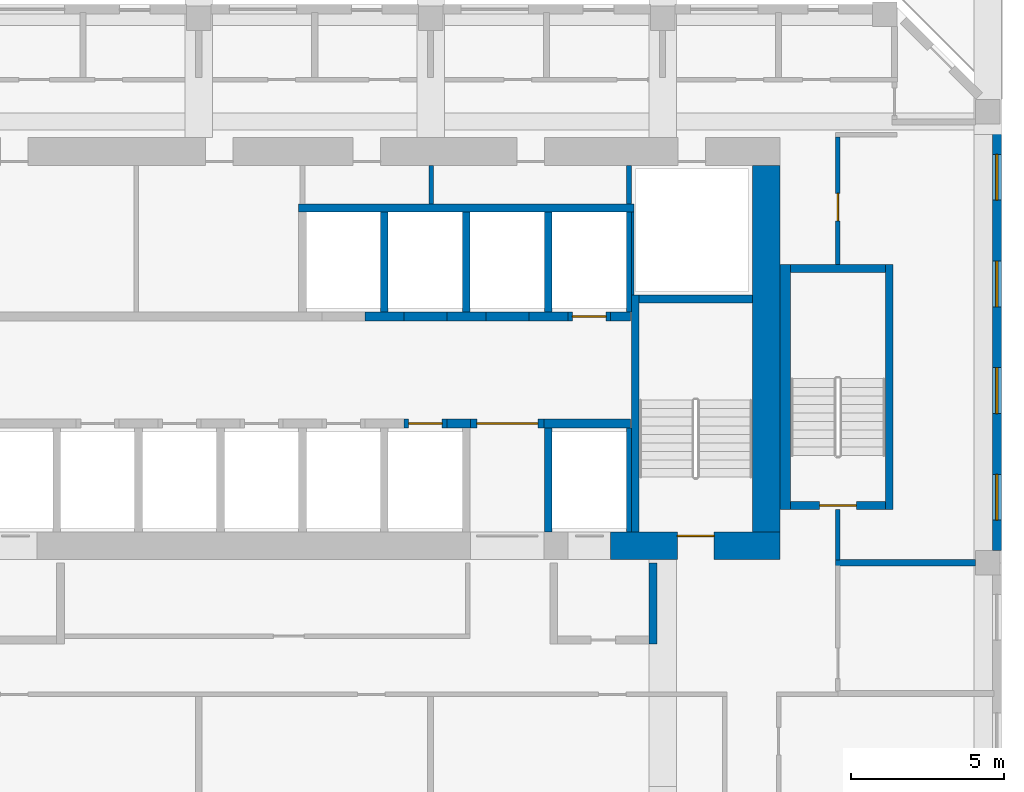
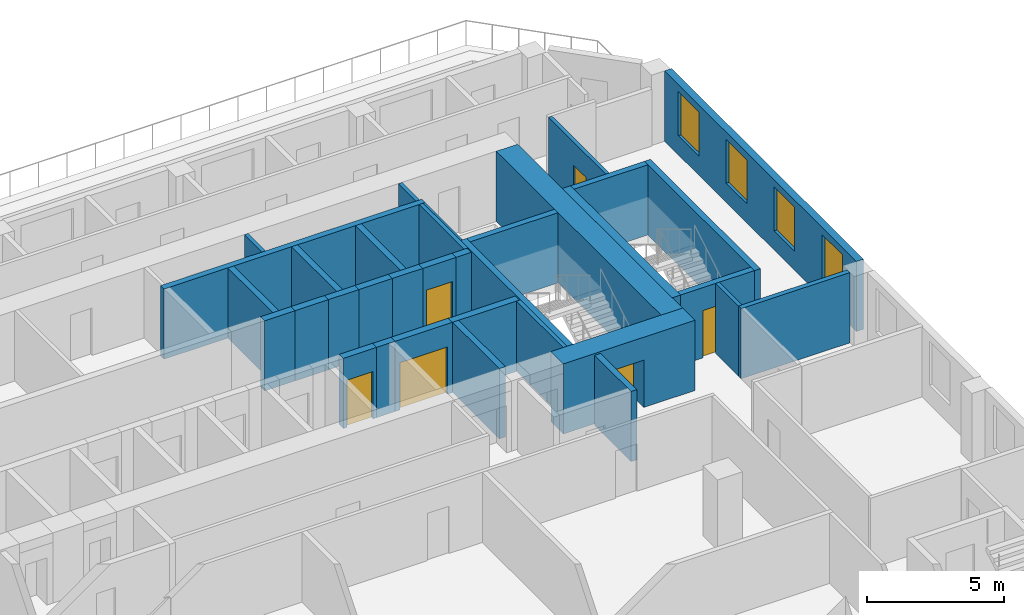
# One storey, part 10 of 16: 34 walls, 6 doors, 4 windows, 10 openings.
"""IFC4 building model written with IfcOpenShell, lengths in metres."""

import ifcopenshell
import ifcopenshell.guid

model = None  # the IFC model being written
_history = None  # IfcOwnerHistory: only IFC2X3 demands one
_inside = {}  # id of a spatial element -> (the spatial element, [elements in it])
_under = {}  # id of a project, library or spatial element -> (it, [spatial elements below it])
_declared = {}  # id of a project -> (the project, [libraries it declares])
_typed = {}  # id of a type object -> (the type object, [elements of that type])
_made_of = {}  # id of a material, layer set ... -> (it, [elements and type objects made of it])


def new_model(schema):
    """Start an empty IFC model of exactly this schema.

    Asked for "IFC4X3", IfcOpenShell would pick the latest addendum, in which some entities
    have other attributes; the version numbers below select the first issue.
    IFC2X3 requires an IfcOwnerHistory on every rooted entity: one is made here for all.
    """
    global model, _history
    if schema == "IFC4X3":
        model = ifcopenshell.file(schema_version=(4, 3, 0, 0))
    else:
        model = ifcopenshell.file(schema=schema)
    _inside.clear()
    _under.clear()
    _declared.clear()
    _typed.clear()
    _made_of.clear()
    _history = None
    if model.schema == "IFC2X3":
        org = make("IfcOrganization", Name="unknown")
        user = make(
            "IfcPersonAndOrganization",
            ThePerson=make("IfcPerson", FamilyName="unknown"),
            TheOrganization=org,
        )
        app = make(
            "IfcApplication",
            ApplicationDeveloper=org,
            Version="unknown",
            ApplicationFullName="unknown",
            ApplicationIdentifier="unknown",
        )
        _history = make(
            "IfcOwnerHistory",
            OwningUser=user,
            OwningApplication=app,
            ChangeAction="ADDED",
            CreationDate=0,
        )
    return model


def make(cls, **values):
    """One entity of the class cls with the attributes given. An attribute that is None is left unset."""
    return model.create_entity(
        cls, **{name: value for name, value in values.items() if value is not None}
    )


def rooted(cls, **values):
    """An entity with a GlobalId (a new one), such as an element, a storey or a relation."""
    return make(cls, GlobalId=ifcopenshell.guid.new(), OwnerHistory=_history, **values)


def si_unit(unit_type, name, prefix=None):
    """IfcSIUnit, for example si_unit("LENGTHUNIT", "METRE", prefix="MILLI")."""
    return make("IfcSIUnit", UnitType=unit_type, Prefix=prefix, Name=name)


def assignment(units):
    """IfcUnitAssignment: the units of a project."""
    return None if units is None else make("IfcUnitAssignment", Units=units)


def point(xyz):
    """IfcCartesianPoint."""
    return None if xyz is None else make("IfcCartesianPoint", Coordinates=xyz)


def direction(xyz):
    """IfcDirection."""
    return None if xyz is None else make("IfcDirection", DirectionRatios=xyz)


def frame(location, z_axis=None, x_axis=None):
    """IfcAxis2Placement3D, a coordinate frame: its origin and axes. An axis left out is left unset."""
    return make(
        "IfcAxis2Placement3D",
        Location=point(location),
        Axis=direction(z_axis),
        RefDirection=direction(x_axis),
    )


def frame_2d(location, x_axis=None):
    """IfcAxis2Placement2D, a coordinate frame in the plane: its origin and x axis."""
    return make(
        "IfcAxis2Placement2D", Location=point(location), RefDirection=direction(x_axis)
    )


def origin():
    """The frame at (0, 0, 0) with its axes left unset."""
    return frame((0.0, 0.0, 0.0))


def place(relative_to, where):
    """IfcLocalPlacement: puts the frame where relative to a parent placement (None: the world)."""
    return make(
        "IfcLocalPlacement", PlacementRelTo=relative_to, RelativePlacement=where
    )


def context(
    kind, dimensions, precision=None, world=None, true_north=None, identifier=None
):
    """IfcGeometricRepresentationContext, for example the 3D "Model" context."""
    return make(
        "IfcGeometricRepresentationContext",
        ContextIdentifier=identifier,
        ContextType=kind,
        CoordinateSpaceDimension=dimensions,
        Precision=precision,
        WorldCoordinateSystem=world,
        TrueNorth=true_north,
    )


def subcontext(parent, identifier, kind, view, scale=None):
    """IfcGeometricRepresentationSubContext, for example "Body" below "Model"."""
    return make(
        "IfcGeometricRepresentationSubContext",
        ContextIdentifier=identifier,
        ContextType=kind,
        ParentContext=parent,
        TargetScale=scale,
        TargetView=view,
    )


def project(units=None, contexts=None):
    """IfcProject with its units and contexts."""
    return rooted(
        "IfcProject",
        Name="project",
        RepresentationContexts=contexts,
        UnitsInContext=assignment(units),
    )


def spatial(cls, under=None, at=None, **own):
    """A site, building, storey or space (cls), placed at a placement, below another one or the project."""
    s = rooted(cls, ObjectPlacement=at, **own)
    if under is not None:
        _under.setdefault(under.id(), (under, []))[1].append(s)
    return s


def profile(cls, at=None, kind="AREA", **sizes):
    """A parametric profile (cls). Its sizes go by their IFC names, for example OverallWidth=200.0."""
    return make(cls, ProfileType=kind, Position=at, **sizes)


def rectangle(**sizes):
    """IfcRectangleProfileDef."""
    return profile("IfcRectangleProfileDef", **sizes)


def extrude(swept, where, along, depth):
    """IfcExtrudedAreaSolid: the profile swept, set in the frame where, extruded along a direction by depth."""
    return make(
        "IfcExtrudedAreaSolid",
        SweptArea=swept,
        Position=where,
        ExtrudedDirection=direction(along),
        Depth=depth,
    )


def shape(context_of_items, identifier, shape_type, items):
    """IfcShapeRepresentation: the items that make up one representation, for example the "Body"."""
    return make(
        "IfcShapeRepresentation",
        ContextOfItems=context_of_items,
        RepresentationIdentifier=identifier,
        RepresentationType=shape_type,
        Items=items,
    )


def source(mapping_origin, context_of_items, identifier, shape_type, items):
    """IfcRepresentationMap: a shape defined once, which mapped items show again and again."""
    return make(
        "IfcRepresentationMap",
        MappingOrigin=mapping_origin,
        MappedRepresentation=shape(context_of_items, identifier, shape_type, items),
    )


def transform(
    local_origin,
    x_axis=None,
    y_axis=None,
    z_axis=None,
    scale=None,
    scale2=None,
    scale3=None,
    uniform=True,
):
    """IfcCartesianTransformationOperator3D, or its non-uniform kind. x_axis, y_axis, z_axis: its Axis1, 2, 3."""
    if uniform:
        return make(
            "IfcCartesianTransformationOperator3D",
            Axis1=direction(x_axis),
            Axis2=direction(y_axis),
            LocalOrigin=point(local_origin),
            Scale=scale,
            Axis3=direction(z_axis),
        )
    return make(
        "IfcCartesianTransformationOperator3DnonUniform",
        Axis1=direction(x_axis),
        Axis2=direction(y_axis),
        LocalOrigin=point(local_origin),
        Scale=scale,
        Axis3=direction(z_axis),
        Scale2=scale2,
        Scale3=scale3,
    )


def mapped(mapping_source, mapping_target):
    """IfcMappedItem: shows the shape of a source again, moved by a transform."""
    return make(
        "IfcMappedItem", MappingSource=mapping_source, MappingTarget=mapping_target
    )


def material(Name=None, Category=None):
    """IfcMaterial."""
    return make("IfcMaterial", Name=Name, Category=Category)


def layer(
    of_material, thickness, ventilated=None, Name=None, Category=None, Priority=None
):
    """IfcMaterialLayer: one layer of a wall or slab, of a material (None: an air gap)."""
    return make(
        "IfcMaterialLayer",
        Material=of_material,
        LayerThickness=thickness,
        IsVentilated=ventilated,
        Name=Name,
        Category=Category,
        Priority=Priority,
    )


def layer_set(layers, Name=None):
    """IfcMaterialLayerSet."""
    return make("IfcMaterialLayerSet", MaterialLayers=layers, LayerSetName=Name)


def made_of(thing, what):
    """Note that an element or type object is made of a material, layer set ...; save() writes the relation."""
    if what is not None:
        _made_of.setdefault(what.id(), (what, []))[1].append(thing)
    return thing


def type_object(cls, material=None, **own):
    """A type object (cls), such as IfcWallType, which elements share."""
    return made_of(rooted(cls, **own), material)


def element(
    cls,
    number,
    at=None,
    inside=None,
    cuts=None,
    type_object=None,
    material=None,
    context=None,
    identifier="Body",
    shape_type=None,
    held_by="IfcProductDefinitionShape",
    body=None,
    shapes=None,
    **own,
):
    """One element of the class cls, such as IfcWall. Its Tag is "e" and its number.

    at: its placement. inside: the storey or other place that contains it. cuts: it is an
    opening in that element (IfcRelVoidsElement). A single representation is given by context,
    identifier, shape_type and body (its items); several are given by shapes. held_by: the class
    of the entity that holds the representations. save() writes the other relations.
    """
    e = rooted(cls, Tag="e%d" % number, ObjectPlacement=at, **own)
    if body is not None:
        shapes = [shape(context, identifier, shape_type, body)]
    if shapes is not None:
        e.Representation = make(held_by, Representations=shapes)
    if inside is not None:
        _inside.setdefault(inside.id(), (inside, []))[1].append(e)
    if cuts is not None:
        rooted(
            "IfcRelVoidsElement", RelatingBuildingElement=cuts, RelatedOpeningElement=e
        )
    if type_object is not None:
        _typed.setdefault(type_object.id(), (type_object, []))[1].append(e)
    return made_of(e, material)


def fill(opening, filler):
    """IfcRelFillsElement: the door or window that sits in an opening."""
    return rooted(
        "IfcRelFillsElement",
        RelatingOpeningElement=opening,
        RelatedBuildingElement=filler,
    )


def aggregate(whole, parts):
    """IfcRelAggregates: a whole, such as a stair, and the parts it consists of."""
    return rooted("IfcRelAggregates", RelatingObject=whole, RelatedObjects=parts)


def save(model, path):
    """Write the relations noted so far, then the file.

    IfcRelAggregates (storeys below a building ...), IfcRelContainedInSpatialStructure (elements
    in a storey), IfcRelDefinesByType, IfcRelAssociatesMaterial and IfcRelDeclares: one each for
    every whole, place, type object, material and project.
    """
    for whole, parts in _under.values():
        aggregate(whole, parts)
    for where, things in _inside.values():
        rooted(
            "IfcRelContainedInSpatialStructure",
            RelatedElements=things,
            RelatingStructure=where,
        )
    for kind, things in _typed.values():
        rooted("IfcRelDefinesByType", RelatedObjects=things, RelatingType=kind)
    for what, things in _made_of.values():
        rooted("IfcRelAssociatesMaterial", RelatedObjects=things, RelatingMaterial=what)
    for by, libraries in _declared.values():
        rooted("IfcRelDeclares", RelatingContext=by, RelatedDefinitions=libraries)
    model.write(path)


model = new_model("IFC4")

# Units and contexts
model_context = context("Model", 3, precision=1e-05, world=origin(), true_north=direction((0.0, 1.0)))
body_context = subcontext(model_context, "Body", "Model", "MODEL_VIEW")
ifc_project = project(units=[si_unit("LENGTHUNIT", "METRE"), si_unit("AREAUNIT", "SQUARE_METRE"), si_unit("VOLUMEUNIT", "CUBIC_METRE"), si_unit("PLANEANGLEUNIT", "RADIAN"), si_unit("MASSUNIT", "GRAM", prefix="KILO")], contexts=[model_context])

# Site, building, storey
site_placement = place(None, origin())
site = spatial("IfcSite", under=ifc_project, at=site_placement, CompositionType="ELEMENT")
building_placement = place(site_placement, origin())
building = spatial("IfcBuilding", under=site, at=building_placement, Name="Kilnfold Tower and Market Hall", CompositionType="ELEMENT")
storey_placement = place(building_placement, frame((0.0, 0.0, 168.5)))
storey = spatial("IfcBuildingStorey", under=building, at=storey_placement, Name="L39", CompositionType="ELEMENT", Elevation=168.5)

# Wall, opening, door
ifc_material_1 = material(Name="Gypsum board on steel studs", Category="steel")
ifc_layer_1 = layer(ifc_material_1, 0.14990234375)
ifc_layer_set_1 = layer_set([ifc_layer_1], Name="Gypsum board on steel studs")
wall_type_1 = type_object("IfcWallType", Name="WALL CORRIDOR 150", PredefinedType="PARTITIONING", material=ifc_layer_set_1)
wall_1_placement = place(storey_placement, frame((19.89990234375, 17.75, 0.0), z_axis=(0.0, 0.0, 1.0), x_axis=(0.0, 1.0, 0.0)))
wall_1 = element("IfcWall", 1, at=wall_1_placement, inside=storey, type_object=wall_type_1, Name="Partition LY26.31", PredefinedType="PARTITIONING", context=body_context, shape_type="SweptSolid", body=[
    extrude(rectangle(XDim=4.175048828125, YDim=0.14990234375, at=frame_2d((2.08740234375, 0.0))), origin(), (0.0, 0.0, 1.0), 3.1201171875),
])
opening_1_placement = place(wall_1_placement, frame((1.431884765625, 0.0, 0.0)))
opening_1 = element("IfcOpeningElement", 2, at=opening_1_placement, cuts=wall_1, Name="Opening D2", PredefinedType="OPENING", context=body_context, shape_type="SweptSolid", body=[
    extrude(rectangle(XDim=0.89990234375, YDim=2.10009765625, at=frame_2d((0.449951171875, 1.050048828125))), frame((0.0, 0.0849609375, 0.0), z_axis=(0.0, -1.0, 0.0), x_axis=(1.0, 0.0, 0.0)), (0.0, 0.0, 1.0), 0.169921875),
])
ifc_material_2 = material(Name="Timber veneer door leaf in steel frame", Category="steel")
door_type_1 = type_object("IfcDoorType", Name="DOOR ROOM 900 X2100", OperationType="NOTDEFINED", PredefinedType="DOOR", material=ifc_material_2)
door_1_placement = place(opening_1_placement, origin())
door_1 = element("IfcDoor", 3, at=door_1_placement, inside=storey, type_object=door_type_1, Name="Door D2", OperationType="SINGLE_SWING_LEFT", OverallHeight=2.10009765625, OverallWidth=0.89990234375, PredefinedType="DOOR", context=body_context, shape_type="SweptSolid", body=[
    extrude(rectangle(XDim=0.89990234375, YDim=2.10009765625, at=frame_2d((0.449951171875, 1.050048828125))), frame((0.0, 0.02490234375, 0.0), z_axis=(0.0, -1.0, 0.0), x_axis=(1.0, 0.0, 0.0)), (0.0, 0.0, 1.0), 0.050048828125),
])
fill(opening_1, door_1)

# Walls
wall_2_placement = place(storey_placement, frame((19.89990234375, 8.090087890625, 0.0), z_axis=(0.0, 0.0, 1.0), x_axis=(0.0, 1.0, 0.0)))
element("IfcWall", 4, at=wall_2_placement, inside=storey, type_object=wall_type_1, Name="Partition LY26.32", PredefinedType="PARTITIONING", context=body_context, shape_type="SweptSolid", body=[
    extrude(rectangle(XDim=1.659912109375, YDim=0.14990234375, at=frame_2d((0.830078125, 0.0))), origin(), (0.0, 0.0, 1.0), 3.1201171875),
])
ifc_material_3 = material(Name="Gypsum board on steel studs", Category="steel")
ifc_layer_2 = layer(ifc_material_3, 0.199951171875)
ifc_layer_set_2 = layer_set([ifc_layer_2], Name="Gypsum board on steel studs")
wall_type_2 = type_object("IfcWallType", Name="WALL PARTY 200", PredefinedType="PARTITIONING", material=ifc_layer_set_2)
wall_3_placement = place(storey_placement, frame((19.826904296875, 8.0, 0.0), z_axis=(0.0, 0.0, 1.0), x_axis=(1.0, 0.0, 0.0)))
element("IfcWall", 5, at=wall_3_placement, inside=storey, type_object=wall_type_2, Name="Partition LY26.118", PredefinedType="PARTITIONING", context=body_context, shape_type="SweptSolid", body=[
    extrude(rectangle(XDim=4.572998046875, YDim=0.199951171875, at=frame_2d((2.28662109375, 0.0))), origin(), (0.0, 0.0, 1.0), 3.1201171875),
])

# Wall, opening, door
ifc_material_4 = material(Name="Concrete C70", Category="concrete")
ifc_layer_3 = layer(ifc_material_4, 0.89990234375)
ifc_layer_set_3 = layer_set([ifc_layer_3], Name="Concrete C70")
wall_type_3 = type_object("IfcWallType", Name="CORE WALL 900 C70", PredefinedType="SHEAR", material=ifc_layer_set_3)
shared_shape_1 = source(origin(), body_context, "Body", "SweptSolid", [
    extrude(rectangle(XDim=5.530029296875, YDim=0.89990234375, at=frame_2d((2.76513671875, 0.0))), origin(), (0.0, 0.0, 1.0), 3.1201171875),
])
wall_4_placement = place(storey_placement, frame((12.469970703125, 8.550048828125, 0.0), z_axis=(0.0, 0.0, 1.0), x_axis=(1.0, 0.0, 0.0)))
wall_4 = element("IfcWall", 6, at=wall_4_placement, inside=storey, type_object=wall_type_3, Name="Core outer wall south", PredefinedType="SHEAR", context=body_context, shape_type="MappedRepresentation", body=[
    mapped(shared_shape_1, transform((0.0, 0.0, 0.0))),
])
opening_2_placement = place(wall_4_placement, frame((2.179931640625, 0.0, 0.0)))
opening_2 = element("IfcOpeningElement", 7, at=opening_2_placement, cuts=wall_4, Name="Opening SD1", PredefinedType="OPENING", context=body_context, shape_type="SweptSolid", body=[
    extrude(rectangle(XDim=1.199951171875, YDim=2.10009765625, at=frame_2d((0.60009765625, 1.050048828125))), frame((0.0, 0.4599609375, 0.0), z_axis=(0.0, -1.0, 0.0), x_axis=(1.0, 0.0, 0.0)), (0.0, 0.0, 1.0), 0.919921875),
])
ifc_material_5 = material(Name="Steel door set with fire-resisting leaf", Category="steel")
door_type_2 = type_object("IfcDoorType", Name="STAIR FLOOR DOOR 1200X2100", OperationType="NOTDEFINED", PredefinedType="DOOR", material=ifc_material_5)
door_2_placement = place(opening_2_placement, origin())
door_2 = element("IfcDoor", 8, at=door_2_placement, inside=storey, type_object=door_type_2, Name="Exit stair ST2 door", OperationType="DOUBLE_DOOR_SINGLE_SWING", OverallHeight=2.10009765625, OverallWidth=1.199951171875, PredefinedType="DOOR", context=body_context, shape_type="SweptSolid", body=[
    extrude(rectangle(XDim=1.199951171875, YDim=2.10009765625, at=frame_2d((0.60009765625, 1.050048828125))), frame((0.0, 0.35498046875, 0.0), z_axis=(0.0, -1.0, 0.0), x_axis=(1.0, 0.0, 0.0)), (0.0, 0.0, 1.0), 0.050048828125),
])
fill(opening_2, door_2)

# Walls
shared_shape_2 = source(origin(), body_context, "Body", "SweptSolid", [
    extrude(rectangle(XDim=12.0, YDim=0.89990234375, at=frame_2d((6.0, 0.0))), origin(), (0.0, 0.0, 1.0), 3.1201171875),
])
wall_5_placement = place(storey_placement, frame((17.550048828125, 9.0, 0.0), z_axis=(0.0, 0.0, 1.0), x_axis=(0.0, 1.0, 0.0)))
element("IfcWall", 9, at=wall_5_placement, inside=storey, type_object=wall_type_3, Name="Core outer wall east", PredefinedType="SHEAR", context=body_context, shape_type="MappedRepresentation", body=[
    mapped(shared_shape_2, transform((0.0, 0.0, 0.0))),
])
ifc_material_6 = material(Name="Concrete C70", Category="concrete")
ifc_layer_4 = layer(ifc_material_6, 0.25)
ifc_layer_set_4 = layer_set([ifc_layer_4], Name="Concrete C70")
wall_type_4 = type_object("IfcWallType", Name="CORE WALL 250 C70", PredefinedType="SHEAR", material=ifc_layer_set_4)
shared_shape_3 = source(origin(), body_context, "Body", "SweptSolid", [
    extrude(rectangle(XDim=7.75, YDim=0.25, at=frame_2d((3.875, 0.0))), origin(), (0.0, 0.0, 1.0), 3.1201171875),
])
wall_6_placement = place(storey_placement, frame((13.27490234375, 9.0, 0.0), z_axis=(0.0, 0.0, 1.0), x_axis=(0.0, 1.0, 0.0)))
element("IfcWall", 10, at=wall_6_placement, inside=storey, type_object=wall_type_4, Name="Stair enclosure ST2", PredefinedType="SHEAR", context=body_context, shape_type="MappedRepresentation", body=[
    mapped(shared_shape_3, transform((0.0, 0.0, 0.0))),
])
shared_shape_4 = source(origin(), body_context, "Body", "SweptSolid", [
    extrude(rectangle(XDim=3.7001953125, YDim=0.25, at=frame_2d((1.85009765625, 0.0))), origin(), (0.0, 0.0, 1.0), 3.1201171875),
])
wall_7_placement = place(storey_placement, frame((13.39990234375, 16.625, 0.0), z_axis=(0.0, 0.0, 1.0), x_axis=(1.0, 0.0, 0.0)))
element("IfcWall", 11, at=wall_7_placement, inside=storey, type_object=wall_type_4, Name="Stair enclosure ST2", PredefinedType="SHEAR", context=body_context, shape_type="MappedRepresentation", body=[
    mapped(shared_shape_4, transform((0.0, 0.0, 0.0))),
])
shared_shape_5 = source(origin(), body_context, "Body", "SweptSolid", [
    extrude(rectangle(XDim=8.0, YDim=0.25, at=frame_2d((4.0, 0.0))), origin(), (0.0, 0.0, 1.0), 3.1201171875),
])
wall_8_placement = place(storey_placement, frame((21.574951171875, 9.75, 0.0), z_axis=(0.0, 0.0, 1.0), x_axis=(0.0, 1.0, 0.0)))
element("IfcWall", 12, at=wall_8_placement, inside=storey, type_object=wall_type_4, Name="Stair enclosure ST5", PredefinedType="SHEAR", context=body_context, shape_type="MappedRepresentation", body=[
    mapped(shared_shape_5, transform((0.0, 0.0, 0.0))),
])
ifc_material_7 = material(Name="Concrete C70", Category="concrete")
ifc_layer_5 = layer(ifc_material_7, 0.35009765625)
ifc_layer_set_5 = layer_set([ifc_layer_5], Name="Concrete C70")
wall_type_5 = type_object("IfcWallType", Name="CORE WALL 350 C70", PredefinedType="SHEAR", material=ifc_layer_set_5)
shared_shape_6 = source(origin(), body_context, "Body", "SweptSolid", [
    extrude(rectangle(XDim=8.0, YDim=0.35009765625, at=frame_2d((4.0, 0.0))), origin(), (0.0, 0.0, 1.0), 3.1201171875),
])
wall_9_placement = place(storey_placement, frame((18.175048828125, 9.75, 0.0), z_axis=(0.0, 0.0, 1.0), x_axis=(0.0, 1.0, 0.0)))
element("IfcWall", 13, at=wall_9_placement, inside=storey, type_object=wall_type_5, Name="Stair enclosure ST5", PredefinedType="SHEAR", context=body_context, shape_type="MappedRepresentation", body=[
    mapped(shared_shape_6, transform((0.0, 0.0, 0.0))),
])

# Wall, opening, door
shared_shape_7 = source(origin(), body_context, "Body", "SweptSolid", [
    extrude(rectangle(XDim=3.099853515625, YDim=0.25, at=frame_2d((1.5498046875, 0.0))), origin(), (0.0, 0.0, 1.0), 3.1201171875),
])
wall_10_placement = place(storey_placement, frame((18.35009765625, 9.875, 0.0), z_axis=(0.0, 0.0, 1.0), x_axis=(1.0, 0.0, 0.0)))
wall_10 = element("IfcWall", 14, at=wall_10_placement, inside=storey, type_object=wall_type_4, Name="Stair enclosure ST5", PredefinedType="SHEAR", context=body_context, shape_type="MappedRepresentation", body=[
    mapped(shared_shape_7, transform((0.0, 0.0, 0.0))),
])
opening_3_placement = place(wall_10_placement, frame((0.949951171875, 0.0, 0.0)))
opening_3 = element("IfcOpeningElement", 15, at=opening_3_placement, cuts=wall_10, Name="Opening SD1", PredefinedType="OPENING", context=body_context, shape_type="SweptSolid", body=[
    extrude(rectangle(XDim=1.199951171875, YDim=2.10009765625, at=frame_2d((0.60009765625, 1.050048828125))), frame((0.0, 0.135009765625, 0.0), z_axis=(0.0, -1.0, 0.0), x_axis=(1.0, 0.0, 0.0)), (0.0, 0.0, 1.0), 0.27001953125),
])
door_3_placement = place(opening_3_placement, origin())
door_3 = element("IfcDoor", 16, at=door_3_placement, inside=storey, type_object=door_type_2, Name="Exit stair ST5 door", OperationType="DOUBLE_DOOR_SINGLE_SWING", OverallHeight=2.10009765625, OverallWidth=1.199951171875, PredefinedType="DOOR", context=body_context, shape_type="SweptSolid", body=[
    extrude(rectangle(XDim=1.199951171875, YDim=2.10009765625, at=frame_2d((0.60009765625, 1.050048828125))), frame((0.0, 0.02490234375, 0.0), z_axis=(0.0, -1.0, 0.0), x_axis=(1.0, 0.0, 0.0)), (0.0, 0.0, 1.0), 0.050048828125),
])
fill(opening_3, door_3)

# Walls
wall_11_placement = place(storey_placement, frame((18.35009765625, 17.625, 0.0), z_axis=(0.0, 0.0, 1.0), x_axis=(1.0, 0.0, 0.0)))
element("IfcWall", 17, at=wall_11_placement, inside=storey, type_object=wall_type_4, Name="Stair enclosure ST5", PredefinedType="SHEAR", context=body_context, shape_type="MappedRepresentation", body=[
    mapped(shared_shape_7, transform((0.0, 0.0, 0.0))),
])
ifc_material_8 = material(Name="Concrete C70", Category="concrete")
ifc_layer_6 = layer(ifc_material_8, 0.300048828125)
ifc_layer_set_6 = layer_set([ifc_layer_6], Name="Concrete C70")
wall_type_6 = type_object("IfcWallType", Name="CORE WALL 300 C70", PredefinedType="SHEAR", material=ifc_layer_set_6)
shared_shape_8 = source(origin(), body_context, "Body", "SweptSolid", [
    extrude(rectangle(XDim=1.280029296875, YDim=0.300048828125, at=frame_2d((0.64013671875, 0.0))), origin(), (0.0, 0.0, 1.0), 3.1201171875),
])
for number, where, z_axis, x_axis, name in (
    (18, (4.429931640625, 16.050048828125, 0.0), (0.0, 0.0, 1.0), (1.0, 0.0, 0.0), "Core spine wall"),
    (19, (9.7900390625, 16.050048828125, 0.0), (0.0, 0.0, 1.0), (1.0, 0.0, 0.0), "Core spine wall"),
):
    element("IfcWall", number, at=place(storey_placement, frame(where, z_axis=z_axis, x_axis=x_axis)), inside=storey, type_object=wall_type_6, Name=name, PredefinedType="SHEAR", context=body_context, shape_type="MappedRepresentation", body=[
        mapped(shared_shape_8, transform((0.0, 0.0, 0.0))),
    ])
shared_shape_9 = source(origin(), body_context, "Body", "SweptSolid", [
    extrude(rectangle(XDim=0.77978515625, YDim=0.300048828125, at=frame_2d((0.389892578125, 0.0))), origin(), (0.0, 0.0, 1.0), 3.1201171875),
])
wall_12_placement = place(storey_placement, frame((7.110107421875, 12.550048828125, 0.0), z_axis=(0.0, 0.0, 1.0), x_axis=(1.0, 0.0, 0.0)))
element("IfcWall", 20, at=wall_12_placement, inside=storey, type_object=wall_type_6, Name="Core spine wall", PredefinedType="SHEAR", context=body_context, shape_type="MappedRepresentation", body=[
    mapped(shared_shape_9, transform((0.0, 0.0, 0.0))),
])
shared_shape_10 = source(origin(), body_context, "Body", "SweptSolid", [
    extrude(rectangle(XDim=2.820068359375, YDim=0.300048828125, at=frame_2d((1.41015625, 0.0))), origin(), (0.0, 0.0, 1.0), 3.1201171875),
])
wall_13_placement = place(storey_placement, frame((10.2900390625, 12.550048828125, 0.0), z_axis=(0.0, 0.0, 1.0), x_axis=(1.0, 0.0, 0.0)))
element("IfcWall", 21, at=wall_13_placement, inside=storey, type_object=wall_type_6, Name="Core spine wall", PredefinedType="SHEAR", context=body_context, shape_type="MappedRepresentation", body=[
    mapped(shared_shape_10, transform((0.0, 0.0, 0.0))),
])
shared_shape_11 = source(origin(), body_context, "Body", "SweptSolid", [
    extrude(rectangle(XDim=1.27978515625, YDim=0.300048828125, at=frame_2d((0.639892578125, 0.0))), origin(), (0.0, 0.0, 1.0), 3.1201171875),
])
wall_14_placement = place(storey_placement, frame((7.110107421875, 16.050048828125, 0.0), z_axis=(0.0, 0.0, 1.0), x_axis=(1.0, 0.0, 0.0)))
element("IfcWall", 22, at=wall_14_placement, inside=storey, type_object=wall_type_6, Name="Core spine wall", PredefinedType="SHEAR", context=body_context, shape_type="MappedRepresentation", body=[
    mapped(shared_shape_11, transform((0.0, 0.0, 0.0))),
])
shared_shape_12 = source(origin(), body_context, "Body", "SweptSolid", [
    extrude(rectangle(XDim=0.64013671875, YDim=0.300048828125, at=frame_2d((0.320068359375, 0.0))), origin(), (0.0, 0.0, 1.0), 3.1201171875),
])
wall_15_placement = place(storey_placement, frame((12.469970703125, 16.050048828125, 0.0), z_axis=(0.0, 0.0, 1.0), x_axis=(1.0, 0.0, 0.0)))
element("IfcWall", 23, at=wall_15_placement, inside=storey, type_object=wall_type_6, Name="Core spine wall", PredefinedType="SHEAR", context=body_context, shape_type="MappedRepresentation", body=[
    mapped(shared_shape_12, transform((0.0, 0.0, 0.0))),
])

# Wall, openings, windows
ifc_material_9 = material(Name="Precast concrete C50/60", Category="concrete")
ifc_layer_7 = layer(ifc_material_9, 0.300048828125)
ifc_layer_set_7 = layer_set([ifc_layer_7], Name="Precast concrete C50/60")
wall_type_7 = type_object("IfcWallType", Name="PRECAST WALL 300", PredefinedType="SOLIDWALL", material=ifc_layer_set_7)
shared_shape_13 = source(origin(), body_context, "Body", "SweptSolid", [
    extrude(rectangle(XDim=13.9501953125, YDim=0.300048828125, at=frame_2d((6.97509765625, 0.0))), origin(), (0.0, 0.0, 1.0), 3.1201171875),
])
wall_16_placement = place(storey_placement, frame((25.10009765625, 8.39990234375, 0.0), z_axis=(0.0, 0.0, 1.0), x_axis=(0.0, 1.0, 0.0)))
wall_16 = element("IfcWall", 24, at=wall_16_placement, inside=storey, type_object=wall_type_7, Name="External wall L39 E", PredefinedType="SOLIDWALL", context=body_context, shape_type="MappedRepresentation", body=[
    mapped(shared_shape_13, transform((0.0, 0.0, 0.0))),
])
opening_4_placement = place(wall_16_placement, frame((0.993896484375, 0.0, 0.85009765625)))
opening_4 = element("IfcOpeningElement", 25, at=opening_4_placement, cuts=wall_16, Name="Opening W4", PredefinedType="OPENING", context=body_context, shape_type="SweptSolid", body=[
    extrude(rectangle(XDim=1.5, YDim=1.949951171875, at=frame_2d((0.75, 0.97509765625))), frame((0.0, 0.16015625, 0.0), z_axis=(0.0, -1.0, 0.0), x_axis=(1.0, 0.0, 0.0)), (0.0, 0.0, 1.0), 0.320068359375),
])
opening_5_placement = place(wall_16_placement, frame((4.481201171875, 0.0, 0.85009765625)))
opening_5 = element("IfcOpeningElement", 26, at=opening_5_placement, cuts=wall_16, Name="Opening W4", PredefinedType="OPENING", context=body_context, shape_type="SweptSolid", body=[
    extrude(rectangle(XDim=1.5, YDim=1.949951171875, at=frame_2d((0.75, 0.97509765625))), frame((0.0, 0.16015625, 0.0), z_axis=(0.0, -1.0, 0.0), x_axis=(1.0, 0.0, 0.0)), (0.0, 0.0, 1.0), 0.320068359375),
])
opening_6_placement = place(wall_16_placement, frame((7.96875, 0.0, 0.85009765625)))
opening_6 = element("IfcOpeningElement", 27, at=opening_6_placement, cuts=wall_16, Name="Opening W4", PredefinedType="OPENING", context=body_context, shape_type="SweptSolid", body=[
    extrude(rectangle(XDim=1.5, YDim=1.949951171875, at=frame_2d((0.75, 0.97509765625))), frame((0.0, 0.16015625, 0.0), z_axis=(0.0, -1.0, 0.0), x_axis=(1.0, 0.0, 0.0)), (0.0, 0.0, 1.0), 0.320068359375),
])
opening_7_placement = place(wall_16_placement, frame((11.456298828125, 0.0, 0.85009765625)))
opening_7 = element("IfcOpeningElement", 28, at=opening_7_placement, cuts=wall_16, Name="Opening W4", PredefinedType="OPENING", context=body_context, shape_type="SweptSolid", body=[
    extrude(rectangle(XDim=1.5, YDim=1.949951171875, at=frame_2d((0.75, 0.97509765625))), frame((0.0, 0.16015625, 0.0), z_axis=(0.0, -1.0, 0.0), x_axis=(1.0, 0.0, 0.0)), (0.0, 0.0, 1.0), 0.320068359375),
])
ifc_material_10 = material(Name="Aluminium frame and double glazing", Category="aluminium")
window_type = type_object("IfcWindowType", Name="WINDOW W4 1500X1950", PartitioningType="SINGLE_PANEL", PredefinedType="WINDOW", material=ifc_material_10)
window_1_placement = place(opening_4_placement, origin())
window_1 = element("IfcWindow", 29, at=window_1_placement, inside=storey, type_object=window_type, Name="Window W4 L39 E-1", OverallHeight=1.949951171875, OverallWidth=1.5, PartitioningType="SINGLE_PANEL", PredefinedType="WINDOW", context=body_context, shape_type="SweptSolid", body=[
    extrude(rectangle(XDim=1.5, YDim=1.949951171875, at=frame_2d((0.75, 0.97509765625))), frame((0.0, 0.030029296875, 0.0), z_axis=(0.0, -1.0, 0.0), x_axis=(1.0, 0.0, 0.0)), (0.0, 0.0, 1.0), 0.06005859375),
])
fill(opening_4, window_1)
window_2_placement = place(opening_5_placement, origin())
window_2 = element("IfcWindow", 30, at=window_2_placement, inside=storey, type_object=window_type, Name="Window W4 L39 E-2", OverallHeight=1.949951171875, OverallWidth=1.5, PartitioningType="SINGLE_PANEL", PredefinedType="WINDOW", context=body_context, shape_type="SweptSolid", body=[
    extrude(rectangle(XDim=1.5, YDim=1.949951171875, at=frame_2d((0.75, 0.97509765625))), frame((0.0, 0.030029296875, 0.0), z_axis=(0.0, -1.0, 0.0), x_axis=(1.0, 0.0, 0.0)), (0.0, 0.0, 1.0), 0.06005859375),
])
fill(opening_5, window_2)
window_3_placement = place(opening_6_placement, origin())
window_3 = element("IfcWindow", 31, at=window_3_placement, inside=storey, type_object=window_type, Name="Window W4 L39 E-3", OverallHeight=1.949951171875, OverallWidth=1.5, PartitioningType="SINGLE_PANEL", PredefinedType="WINDOW", context=body_context, shape_type="SweptSolid", body=[
    extrude(rectangle(XDim=1.5, YDim=1.949951171875, at=frame_2d((0.75, 0.97509765625))), frame((0.0, 0.030029296875, 0.0), z_axis=(0.0, -1.0, 0.0), x_axis=(1.0, 0.0, 0.0)), (0.0, 0.0, 1.0), 0.06005859375),
])
fill(opening_6, window_3)
window_4_placement = place(opening_7_placement, origin())
window_4 = element("IfcWindow", 32, at=window_4_placement, inside=storey, type_object=window_type, Name="Window W4 L39 E-4", OverallHeight=1.949951171875, OverallWidth=1.5, PartitioningType="SINGLE_PANEL", PredefinedType="WINDOW", context=body_context, shape_type="SweptSolid", body=[
    extrude(rectangle(XDim=1.5, YDim=1.949951171875, at=frame_2d((0.75, 0.97509765625))), frame((0.0, 0.030029296875, 0.0), z_axis=(0.0, -1.0, 0.0), x_axis=(1.0, 0.0, 0.0)), (0.0, 0.0, 1.0), 0.06005859375),
])
fill(opening_7, window_4)

# Wall, opening, door
ifc_material_11 = material(Name="Gypsum shaft wall system")
ifc_layer_8 = layer(ifc_material_11, 0.300048828125)
ifc_layer_set_8 = layer_set([ifc_layer_8], Name="Gypsum shaft wall system")
wall_type_8 = type_object("IfcWallType", Name="SHAFT WALL 300", PredefinedType="PARTITIONING", material=ifc_layer_set_8)
shared_shape_14 = source(origin(), body_context, "Body", "SweptSolid", [
    extrude(rectangle(XDim=1.39990234375, YDim=0.300048828125, at=frame_2d((0.699951171875, 0.0))), origin(), (0.0, 0.0, 1.0), 3.1201171875),
])
wall_17_placement = place(storey_placement, frame((11.070068359375, 16.050048828125, 0.0), z_axis=(0.0, 0.0, 1.0), x_axis=(1.0, 0.0, 0.0)))
wall_17 = element("IfcWall", 33, at=wall_17_placement, inside=storey, type_object=wall_type_8, Name="Lift shaft front wall", PredefinedType="PARTITIONING", context=body_context, shape_type="MappedRepresentation", body=[
    mapped(shared_shape_14, transform((0.0, 0.0, 0.0))),
])
opening_8_placement = place(wall_17_placement, frame((0.14990234375, 0.0, 0.0)))
opening_8 = element("IfcOpeningElement", 34, at=opening_8_placement, cuts=wall_17, Name="Opening LD2", PredefinedType="OPENING", context=body_context, shape_type="SweptSolid", body=[
    extrude(rectangle(XDim=1.10009765625, YDim=2.10009765625, at=frame_2d((0.550048828125, 1.050048828125))), frame((0.0, 0.16015625, 0.0), z_axis=(0.0, -1.0, 0.0), x_axis=(1.0, 0.0, 0.0)), (0.0, 0.0, 1.0), 0.320068359375),
])
ifc_material_12 = material(Name="Steel door set with fire-resisting leaf", Category="steel")
door_type_3 = type_object("IfcDoorType", Name="LANDING DOOR 1100X2100", OperationType="NOTDEFINED", PredefinedType="DOOR", material=ifc_material_12)
door_4_placement = place(opening_8_placement, origin())
door_4 = element("IfcDoor", 35, at=door_4_placement, inside=storey, type_object=door_type_3, Name="Landing door MR6", OperationType="DOUBLE_DOOR_SLIDING", OverallHeight=2.10009765625, OverallWidth=1.10009765625, PredefinedType="DOOR", context=body_context, shape_type="SweptSolid", body=[
    extrude(rectangle(XDim=1.10009765625, YDim=2.10009765625, at=frame_2d((0.550048828125, 1.050048828125))), frame((0.0, 0.02490234375, 0.0), z_axis=(0.0, -1.0, 0.0), x_axis=(1.0, 0.0, 0.0)), (0.0, 0.0, 1.0), 0.050048828125),
])
fill(opening_8, door_4)

shared_shape_15 = source(origin(), body_context, "Body", "SweptSolid", [
    extrude(rectangle(XDim=1.400146484375, YDim=0.300048828125, at=frame_2d((0.7001953125, 0.0))), origin(), (0.0, 0.0, 1.0), 3.1201171875),
])
wall_18_placement = place(storey_placement, frame((5.7099609375, 12.550048828125, 0.0), z_axis=(0.0, 0.0, 1.0), x_axis=(1.0, 0.0, 0.0)))
wall_18 = element("IfcWall", 36, at=wall_18_placement, inside=storey, type_object=wall_type_8, Name="Lift shaft front wall", PredefinedType="PARTITIONING", context=body_context, shape_type="MappedRepresentation", body=[
    mapped(shared_shape_15, transform((0.0, 0.0, 0.0))),
])
opening_9_placement = place(wall_18_placement, frame((0.14990234375, 0.0, 0.0)))
opening_9 = element("IfcOpeningElement", 37, at=opening_9_placement, cuts=wall_18, Name="Opening LD2", PredefinedType="OPENING", context=body_context, shape_type="SweptSolid", body=[
    extrude(rectangle(XDim=1.10009765625, YDim=2.10009765625, at=frame_2d((0.550048828125, 1.050048828125))), frame((0.0, 0.16015625, 0.0), z_axis=(0.0, -1.0, 0.0), x_axis=(1.0, 0.0, 0.0)), (0.0, 0.0, 1.0), 0.320068359375),
])
door_5_placement = place(opening_9_placement, origin())
door_5 = element("IfcDoor", 38, at=door_5_placement, inside=storey, type_object=door_type_3, Name="Landing door MR5", OperationType="DOUBLE_DOOR_SLIDING", OverallHeight=2.10009765625, OverallWidth=1.10009765625, PredefinedType="DOOR", context=body_context, shape_type="SweptSolid", body=[
    extrude(rectangle(XDim=1.10009765625, YDim=2.10009765625, at=frame_2d((0.550048828125, 1.050048828125))), frame((0.0, 0.02490234375, 0.0), z_axis=(0.0, -1.0, 0.0), x_axis=(1.0, 0.0, 0.0)), (0.0, 0.0, 1.0), 0.050048828125),
])
fill(opening_9, door_5)

# Walls
for number, where, z_axis, x_axis, name in (
    (39, (5.7099609375, 16.050048828125, 0.0), (0.0, 0.0, 1.0), (1.0, 0.0, 0.0), "Lift shaft front wall"),
    (40, (8.389892578125, 16.050048828125, 0.0), (0.0, 0.0, 1.0), (1.0, 0.0, 0.0), "Lift shaft front wall"),
):
    element("IfcWall", number, at=place(storey_placement, frame(where, z_axis=z_axis, x_axis=x_axis)), inside=storey, type_object=wall_type_8, Name=name, PredefinedType="PARTITIONING", context=body_context, shape_type="MappedRepresentation", body=[
        mapped(shared_shape_15, transform((0.0, 0.0, 0.0))),
    ])

# Wall, opening, door
shared_shape_16 = source(origin(), body_context, "Body", "SweptSolid", [
    extrude(rectangle(XDim=2.400146484375, YDim=0.300048828125, at=frame_2d((1.2001953125, 0.0))), origin(), (0.0, 0.0, 1.0), 3.1201171875),
])
wall_19_placement = place(storey_placement, frame((7.889892578125, 12.550048828125, 0.0), z_axis=(0.0, 0.0, 1.0), x_axis=(1.0, 0.0, 0.0)))
wall_19 = element("IfcWall", 41, at=wall_19_placement, inside=storey, type_object=wall_type_8, Name="Lift shaft front wall", PredefinedType="PARTITIONING", context=body_context, shape_type="MappedRepresentation", body=[
    mapped(shared_shape_16, transform((0.0, 0.0, 0.0))),
])
opening_10_placement = place(wall_19_placement, frame((0.199951171875, 0.0, 0.0)))
opening_10 = element("IfcOpeningElement", 42, at=opening_10_placement, cuts=wall_19, Name="Opening VD2", PredefinedType="OPENING", context=body_context, shape_type="SweptSolid", body=[
    extrude(rectangle(XDim=2.0, YDim=2.10009765625, at=frame_2d((1.0, 1.050048828125))), frame((0.0, 0.16015625, 0.0), z_axis=(0.0, -1.0, 0.0), x_axis=(1.0, 0.0, 0.0)), (0.0, 0.0, 1.0), 0.320068359375),
])
ifc_material_13 = material(Name="Steel door set with fire-resisting leaf", Category="steel")
door_type_4 = type_object("IfcDoorType", Name="LIFT LOBBY ENTRANCE DOOR 2000X2100", OperationType="NOTDEFINED", PredefinedType="DOOR", material=ifc_material_13)
door_6_placement = place(opening_10_placement, origin())
door_6 = element("IfcDoor", 43, at=door_6_placement, inside=storey, type_object=door_type_4, Name="Lift lobby entrance door", OperationType="DOUBLE_DOOR_SINGLE_SWING", OverallHeight=2.10009765625, OverallWidth=2.0, PredefinedType="DOOR", context=body_context, shape_type="SweptSolid", body=[
    extrude(rectangle(XDim=2.0, YDim=2.10009765625, at=frame_2d((1.0, 1.050048828125))), frame((0.0, 0.02490234375, 0.0), z_axis=(0.0, -1.0, 0.0), x_axis=(1.0, 0.0, 0.0)), (0.0, 0.0, 1.0), 0.050048828125),
])
fill(opening_10, door_6)

# Walls
ifc_material_14 = material(Name="Gypsum shaft wall system")
ifc_layer_9 = layer(ifc_material_14, 0.25)
ifc_layer_set_9 = layer_set([ifc_layer_9], Name="Gypsum shaft wall system")
wall_type_9 = type_object("IfcWallType", Name="LOBBY WALL 250", PredefinedType="PARTITIONING", material=ifc_layer_set_9)
shared_shape_17 = source(origin(), body_context, "Body", "SweptSolid", [
    extrude(rectangle(XDim=2.64990234375, YDim=0.25, at=frame_2d((1.324951171875, 0.0))), origin(), (0.0, 0.0, 1.0), 3.1201171875),
])
wall_20_placement = place(storey_placement, frame((13.85498046875, 5.35009765625, 0.0), z_axis=(0.0, 0.0, 1.0), x_axis=(0.0, 1.0, 0.0)))
element("IfcWall", 44, at=wall_20_placement, inside=storey, type_object=wall_type_9, Name="Firefighting lobby wall", PredefinedType="PARTITIONING", context=body_context, shape_type="MappedRepresentation", body=[
    mapped(shared_shape_17, transform((0.0, 0.0, 0.0))),
])
ifc_material_15 = material(Name="Gypsum shaft wall system")
ifc_layer_10 = layer(ifc_material_15, 0.1650390625)
ifc_layer_set_10 = layer_set([ifc_layer_10], Name="Gypsum shaft wall system")
wall_type_10 = type_object("IfcWallType", Name="SHAFT WALL 165", PredefinedType="PARTITIONING", material=ifc_layer_set_10)
shared_shape_18 = source(origin(), body_context, "Body", "SweptSolid", [
    extrude(rectangle(XDim=3.275146484375, YDim=0.1650390625, at=frame_2d((1.6376953125, 0.0))), origin(), (0.0, 0.0, 1.0), 3.1201171875),
])
wall_21_placement = place(storey_placement, frame((13.0673828125, 16.199951171875, 0.0), z_axis=(0.0, 0.0, 1.0), x_axis=(0.0, 1.0, 0.0)))
element("IfcWall", 45, at=wall_21_placement, inside=storey, type_object=wall_type_10, Name="Lift shaft wall", PredefinedType="PARTITIONING", context=body_context, shape_type="MappedRepresentation", body=[
    mapped(shared_shape_18, transform((0.0, 0.0, 0.0))),
])
shared_shape_19 = source(origin(), body_context, "Body", "SweptSolid", [
    extrude(rectangle(XDim=1.27490234375, YDim=0.1650390625, at=frame_2d((0.637451171875, 0.0))), origin(), (0.0, 0.0, 1.0), 3.1201171875),
])
wall_22_placement = place(storey_placement, frame((13.0673828125, 19.72509765625, 0.0), z_axis=(0.0, 0.0, 1.0), x_axis=(0.0, 1.0, 0.0)))
element("IfcWall", 46, at=wall_22_placement, inside=storey, type_object=wall_type_10, Name="Lift shaft wall", PredefinedType="PARTITIONING", context=body_context, shape_type="MappedRepresentation", body=[
    mapped(shared_shape_19, transform((0.0, 0.0, 0.0))),
])
ifc_material_16 = material(Name="Gypsum shaft wall system")
ifc_layer_11 = layer(ifc_material_16, 0.25)
ifc_layer_set_11 = layer_set([ifc_layer_11], Name="Gypsum shaft wall system")
wall_type_11 = type_object("IfcWallType", Name="SHAFT WALL 250", PredefinedType="PARTITIONING", material=ifc_layer_set_11)
shared_shape_20 = source(origin(), body_context, "Body", "SweptSolid", [
    extrude(rectangle(XDim=3.275146484375, YDim=0.25, at=frame_2d((1.6376953125, 0.0))), origin(), (0.0, 0.0, 1.0), 3.1201171875),
])
for number, where, z_axis, x_axis, name in (
    (47, (10.429931640625, 16.199951171875, 0.0), (0.0, 0.0, 1.0), (0.0, 1.0, 0.0), "Lift shaft wall"),
    (48, (5.070068359375, 16.199951171875, 0.0), (0.0, 0.0, 1.0), (0.0, 1.0, 0.0), "Lift shaft wall"),
    (49, (7.75, 16.199951171875, 0.0), (0.0, 0.0, 1.0), (0.0, 1.0, 0.0), "Lift shaft wall"),
):
    element("IfcWall", number, at=place(storey_placement, frame(where, z_axis=z_axis, x_axis=x_axis)), inside=storey, type_object=wall_type_11, Name=name, PredefinedType="PARTITIONING", context=body_context, shape_type="MappedRepresentation", body=[
        mapped(shared_shape_20, transform((0.0, 0.0, 0.0))),
    ])
ifc_material_17 = material(Name="Gypsum shaft wall system")
ifc_layer_12 = layer(ifc_material_17, 0.0849609375)
ifc_layer_set_12 = layer_set([ifc_layer_12], Name="Gypsum shaft wall system")
wall_type_12 = type_object("IfcWallType", Name="SHAFT WALL 85", PredefinedType="PARTITIONING", material=ifc_layer_set_12)
shared_shape_21 = source(origin(), body_context, "Body", "SweptSolid", [
    extrude(rectangle(XDim=2.72509765625, YDim=0.0849609375, at=frame_2d((1.362548828125, 0.0))), origin(), (0.0, 0.0, 1.0), 3.1201171875),
])
wall_23_placement = place(storey_placement, frame((13.1923828125, 16.75, 0.0), z_axis=(0.0, 0.0, 1.0), x_axis=(0.0, 1.0, 0.0)))
element("IfcWall", 50, at=wall_23_placement, inside=storey, type_object=wall_type_12, Name="Lift shaft wall", PredefinedType="PARTITIONING", context=body_context, shape_type="MappedRepresentation", body=[
    mapped(shared_shape_21, transform((0.0, 0.0, 0.0))),
])
shared_shape_22 = source(origin(), body_context, "Body", "SweptSolid", [
    extrude(rectangle(XDim=3.39990234375, YDim=0.25, at=frame_2d((1.699951171875, 0.0))), origin(), (0.0, 0.0, 1.0), 3.1201171875),
])
wall_24_placement = place(storey_placement, frame((10.429931640625, 9.0, 0.0), z_axis=(0.0, 0.0, 1.0), x_axis=(0.0, 1.0, 0.0)))
element("IfcWall", 51, at=wall_24_placement, inside=storey, type_object=wall_type_11, Name="Lift shaft wall", PredefinedType="PARTITIONING", context=body_context, shape_type="MappedRepresentation", body=[
    mapped(shared_shape_22, transform((0.0, 0.0, 0.0))),
])
shared_shape_23 = source(origin(), body_context, "Body", "SweptSolid", [
    extrude(rectangle(XDim=3.39990234375, YDim=0.1650390625, at=frame_2d((1.699951171875, 0.0))), origin(), (0.0, 0.0, 1.0), 3.1201171875),
])
wall_25_placement = place(storey_placement, frame((13.0673828125, 9.0, 0.0), z_axis=(0.0, 0.0, 1.0), x_axis=(0.0, 1.0, 0.0)))
element("IfcWall", 52, at=wall_25_placement, inside=storey, type_object=wall_type_10, Name="Lift shaft wall", PredefinedType="PARTITIONING", context=body_context, shape_type="MappedRepresentation", body=[
    mapped(shared_shape_23, transform((0.0, 0.0, 0.0))),
])
ifc_material_18 = material(Name="Gypsum shaft wall system")
ifc_layer_13 = layer(ifc_material_18, 0.14990234375)
ifc_layer_set_13 = layer_set([ifc_layer_13], Name="Gypsum shaft wall system")
wall_type_13 = type_object("IfcWallType", Name="ROOM WALL 150", PredefinedType="PARTITIONING", material=ifc_layer_set_13)
shared_shape_24 = source(origin(), body_context, "Body", "SweptSolid", [
    extrude(rectangle(XDim=1.27490234375, YDim=0.14990234375, at=frame_2d((0.637451171875, 0.0))), origin(), (0.0, 0.0, 1.0), 3.1201171875),
])
wall_26_placement = place(storey_placement, frame((6.59765625, 19.72509765625, 0.0), z_axis=(0.0, 0.0, 1.0), x_axis=(0.0, 1.0, 0.0)))
element("IfcWall", 53, at=wall_26_placement, inside=storey, type_object=wall_type_13, Name="Core room wall", PredefinedType="PARTITIONING", context=body_context, shape_type="MappedRepresentation", body=[
    mapped(shared_shape_24, transform((0.0, 0.0, 0.0))),
])
shared_shape_25 = source(origin(), body_context, "Body", "SweptSolid", [
    extrude(rectangle(XDim=10.97021484375, YDim=0.25, at=frame_2d((5.485107421875, 0.0))), origin(), (0.0, 0.0, 1.0), 3.1201171875),
])
wall_27_placement = place(storey_placement, frame((2.264892578125, 19.60009765625, 0.0), z_axis=(0.0, 0.0, 1.0), x_axis=(1.0, 0.0, 0.0)))
element("IfcWall", 54, at=wall_27_placement, inside=storey, type_object=wall_type_11, Name="Lift shaft wall", PredefinedType="PARTITIONING", context=body_context, shape_type="MappedRepresentation", body=[
    mapped(shared_shape_25, transform((0.0, 0.0, 0.0))),
])

save(model, "model.ifc")
